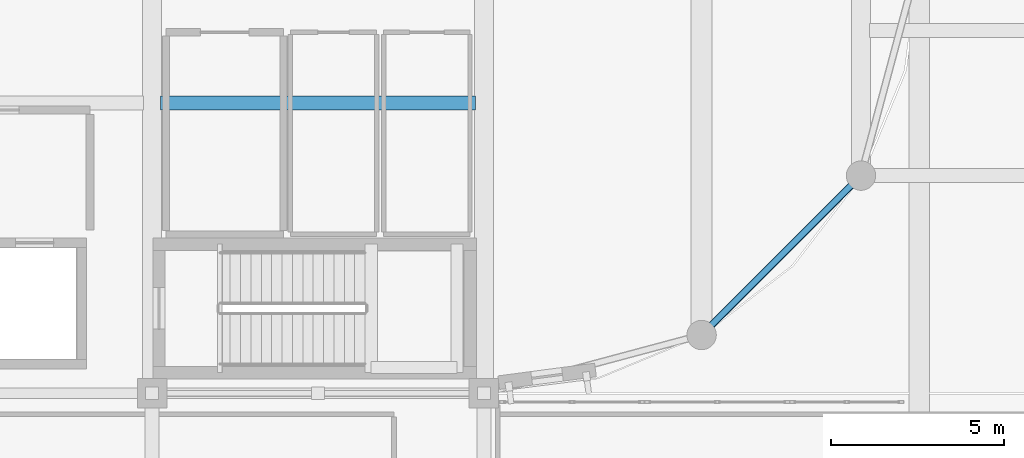
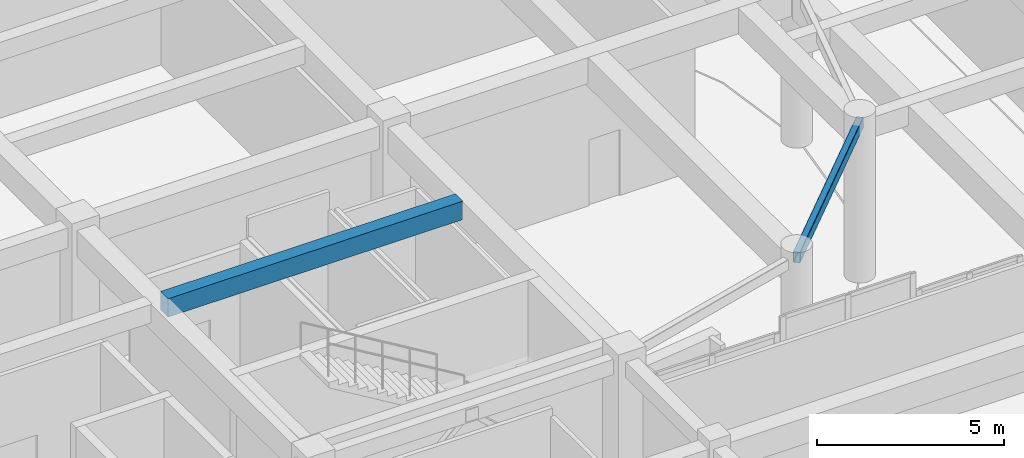
# One storey, part 39 of 98: 2 beams.
"""IFC4 building model written with IfcOpenShell, lengths in metres."""

from ifc_helpers import new_model, si_unit, direction, frame, origin, origin_2d, place, context, subcontext, project, spatial, rectangle, hollow_rectangle, extrude, material, material_profile, profile_set, type_object, element, save


model = new_model("IFC4")

# Units and contexts
model_context = context("Model", 3, precision=1e-05, world=origin(), true_north=direction((0.0, 1.0)))
body_context = subcontext(model_context, "Body", "Model", "MODEL_VIEW")
ifc_project = project(units=[si_unit("LENGTHUNIT", "METRE"), si_unit("AREAUNIT", "SQUARE_METRE"), si_unit("VOLUMEUNIT", "CUBIC_METRE"), si_unit("PLANEANGLEUNIT", "RADIAN"), si_unit("MASSUNIT", "GRAM", prefix="KILO")], contexts=[model_context])

# Site, building, storey
site_placement = place(None, origin())
site = spatial("IfcSite", under=ifc_project, at=site_placement, CompositionType="ELEMENT")
building_placement = place(site_placement, origin())
building = spatial("IfcBuilding", under=site, at=building_placement, Name="Tarnavel Promenade Courthouse", CompositionType="ELEMENT")
storey_placement = place(building_placement, origin())
storey = spatial("IfcBuildingStorey", under=building, at=storey_placement, Name="L01", CompositionType="ELEMENT", Elevation=0.0)

# Beams
ifc_material_1 = material(Name="Concrete C40/50", Category="concrete")
ifc_material_profile_1 = material_profile(ifc_material_1, rectangle(XDim=0.39990234375, YDim=0.60009765625, at=origin_2d()), Name="PT 400x600")
ifc_profile_set_1 = profile_set([ifc_material_profile_1], Name="Concrete C40/50")
beam_type_1 = type_object("IfcBeamType", Name="Concrete C40/50 BM-PT-400x600 (PT 400x600)", PredefinedType="JOIST", material=ifc_profile_set_1)
beam_1_placement = place(storey_placement, frame((92.64501953125, 87.60009765625, 4.8349609375), z_axis=(1.0, 0.0, 0.0), x_axis=(0.0, 1.0, 0.0)))
element("IfcBeam", 1, at=beam_1_placement, inside=storey, type_object=beam_type_1, Name="L01 Secondary Floor Rib 1003", PredefinedType="JOIST", context=body_context, shape_type="SweptSolid", body=[
    extrude(rectangle(XDim=0.39990234375, YDim=0.60009765625, at=origin_2d()), origin(), (0.0, 0.0, 1.0), 9.10986328125),
])
ifc_material_2 = material(Name="Steel S355J2", Category="steel")
ifc_material_profile_2 = material_profile(ifc_material_2, hollow_rectangle(XDim=0.199951171875, YDim=0.35009765625, WallThickness=0.012451171875, InnerFilletRadius=0.012451171875, OuterFilletRadius=0.02490234375, at=origin_2d()), Name="RHS 350x200x12.5")
ifc_profile_set_2 = profile_set([ifc_material_profile_2], Name="Steel S355J2")
beam_type_2 = type_object("IfcBeamType", Name="Steel S355J2 BM-ST-RHS350 (RHS 350x200x12.5)", PredefinedType="SPANDREL", material=ifc_profile_set_2)
beam_2_placement = place(storey_placement, frame((108.300048828125, 80.88818359375, 4.9599609375), z_axis=(0.707106781187, 0.707106781187, 0.0), x_axis=(-0.707106781187, 0.707106781187, 0.0)))
element("IfcBeam", 2, at=beam_2_placement, inside=storey, type_object=beam_type_2, Name="L01 Drum Ring Spandrel 1061", PredefinedType="SPANDREL", context=body_context, shape_type="SweptSolid", body=[
    extrude(hollow_rectangle(XDim=0.199951171875, YDim=0.35009765625, WallThickness=0.012451171875, InnerFilletRadius=0.012451171875, OuterFilletRadius=0.02490234375, at=origin_2d()), origin(), (0.0, 0.0, 1.0), 6.52197265625),
])

save(model, "model.ifc")
